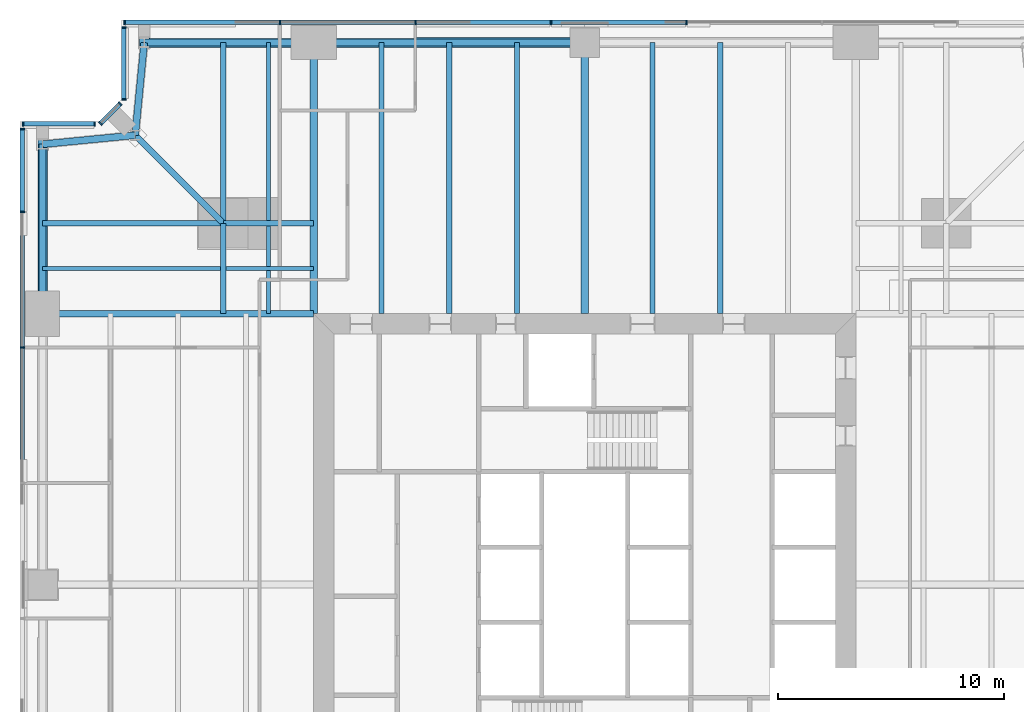
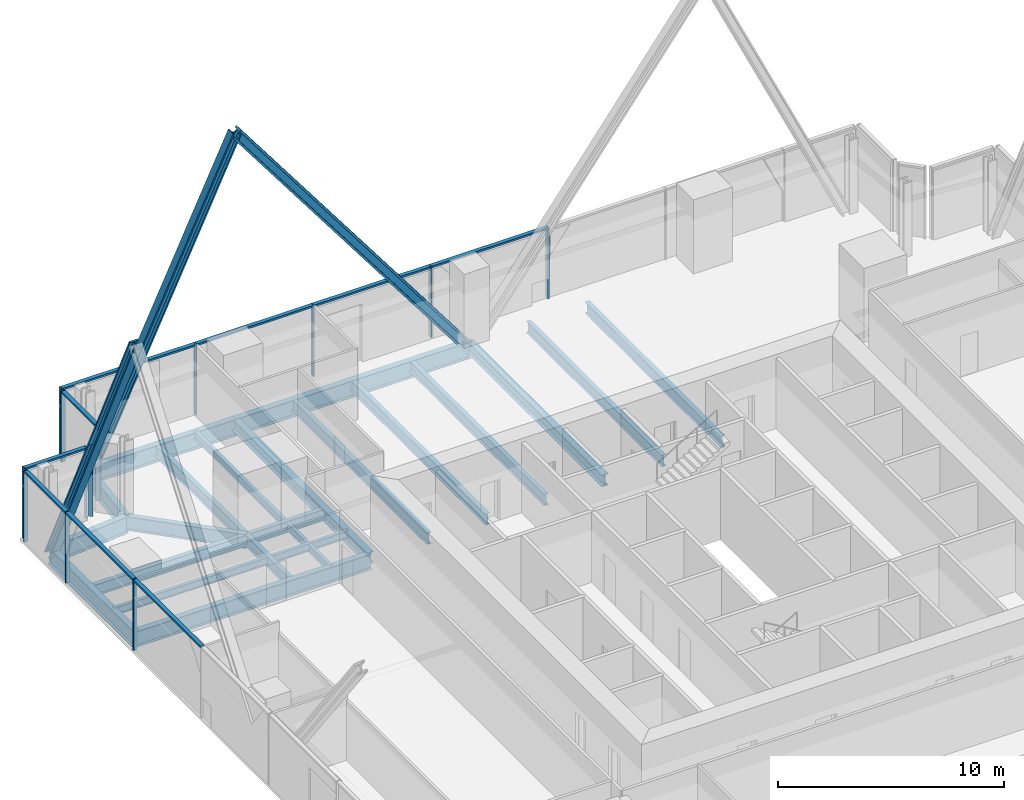
# One storey, part 6 of 13: 27 members, 23 beams, 5 elements without a shape of their own.
"""IFC4 building model written with IfcOpenShell, lengths in metres."""

from ifc_helpers import new_model, si_unit, direction, frame, origin, origin_2d, place, context, subcontext, project, spatial, rectangle, i_section, extrude, material, material_profile, profile_set, type_object, element, aggregate, save


model = new_model("IFC4")

# Units and contexts
model_context = context("Model", 3, precision=1e-05, world=origin(), true_north=direction((0.0, 1.0)))
body_context = subcontext(model_context, "Body", "Model", "MODEL_VIEW")
ifc_project = project(units=[si_unit("LENGTHUNIT", "METRE"), si_unit("AREAUNIT", "SQUARE_METRE"), si_unit("VOLUMEUNIT", "CUBIC_METRE"), si_unit("PLANEANGLEUNIT", "RADIAN"), si_unit("MASSUNIT", "GRAM", prefix="KILO")], contexts=[model_context])

# Site, building, storey
site_placement = place(None, origin())
site = spatial("IfcSite", under=ifc_project, at=site_placement, CompositionType="ELEMENT")
building_placement = place(site_placement, origin())
building = spatial("IfcBuilding", under=site, at=building_placement, Name="Fenwick Lantern Interchange", CompositionType="ELEMENT")
storey_placement = place(building_placement, frame((0.0, 0.0, 146.39990234375)))
storey = spatial("IfcBuildingStorey", under=building, at=storey_placement, Name="L34", CompositionType="ELEMENT", Elevation=146.39990234375)

# Beams
ifc_material_1 = material(Name="Steel ASTM A992 Grade 50", Category="steel")
ifc_material_profile_1 = material_profile(ifc_material_1, i_section(OverallWidth=0.3046875, OverallDepth=0.911865234375, WebThickness=0.015869140625, FlangeThickness=0.02392578125, at=origin_2d()), Name="W36X150")
ifc_profile_set_1 = profile_set([ifc_material_profile_1], Name="Steel ASTM A992 Grade 50")
beam_type_1 = type_object("IfcBeamType", Name="EDGE BEAM W36X150", PredefinedType="SPANDREL", material=ifc_profile_set_1)
beam_1_placement = place(storey_placement, frame((25.0, 49.0, -0.605712890625), z_axis=(-1.0, 0.0, 0.0), x_axis=(0.0, -1.0, 0.0)))
element("IfcBeam", 1, at=beam_1_placement, inside=storey, type_object=beam_type_1, Name="L34/FR/N/EB3", PredefinedType="SPANDREL", context=body_context, shape_type="SweptSolid", body=[
    extrude(i_section(OverallWidth=0.3046875, OverallDepth=0.911865234375, WebThickness=0.015869140625, FlangeThickness=0.02392578125, at=origin_2d()), origin(), (0.0, 0.0, 1.0), 12.0),
])
beam_2_placement = place(storey_placement, frame((13.0, 49.0, -0.605712890625), z_axis=(-1.0, 0.0, 0.0), x_axis=(0.0, -1.0, 0.0)))
element("IfcBeam", 2, at=beam_2_placement, inside=storey, type_object=beam_type_1, Name="L34/FR/N/EB4", PredefinedType="SPANDREL", context=body_context, shape_type="SweptSolid", body=[
    extrude(i_section(OverallWidth=0.3046875, OverallDepth=0.911865234375, WebThickness=0.015869140625, FlangeThickness=0.02392578125, at=origin_2d()), origin(), (0.0, 0.0, 1.0), 7.5),
])
for number, where, z_axis, x_axis, name in (
    (3, (5.5, 49.0, -0.605712890625), (-0.097074191287, -0.995277148028, 0.0), (0.995277148028, -0.097074191287, 0.0), "L34/FR/N/EBR1"),
    (4, (5.10009765625, 44.89990234375, -0.605712890625), (-0.995277148028, -0.097074191287, 0.0), (0.097074191287, -0.995277148028, 0.0), "L34/FR/N/EBR2"),
):
    element("IfcBeam", number, at=place(storey_placement, frame(where, z_axis=z_axis, x_axis=x_axis)), inside=storey, type_object=beam_type_1, Name=name, PredefinedType="SPANDREL", context=body_context, shape_type="SweptSolid", body=[
        extrude(i_section(OverallWidth=0.3046875, OverallDepth=0.911865234375, WebThickness=0.015869140625, FlangeThickness=0.02392578125, at=origin_2d()), origin(), (0.0, 0.0, 1.0), 4.11962890625),
    ])
beam_3_placement = place(storey_placement, frame((1.0, 44.5, -0.605712890625), z_axis=(0.0, -1.0, 0.0), x_axis=(1.0, 0.0, 0.0)))
element("IfcBeam", 5, at=beam_3_placement, inside=storey, type_object=beam_type_1, Name="L34/FR/W/EB1", PredefinedType="SPANDREL", context=body_context, shape_type="SweptSolid", body=[
    extrude(i_section(OverallWidth=0.3046875, OverallDepth=0.911865234375, WebThickness=0.015869140625, FlangeThickness=0.02392578125, at=origin_2d()), origin(), (0.0, 0.0, 1.0), 7.5),
])

# Members
ifc_material_profile_2 = material_profile(ifc_material_1, i_section(OverallWidth=0.424072265625, OverallDepth=0.47509765625, WebThickness=0.0478515625, FlangeThickness=0.0771484375, at=origin_2d()), Name="W14X426")
ifc_profile_set_2 = profile_set([ifc_material_profile_2], Name="Steel ASTM A992 Grade 50")
member_type_1 = type_object("IfcMemberType", Name="FACADE BRACE W14X426", PredefinedType="BRACE", material=ifc_profile_set_2)
for number, where, z_axis, x_axis, name in (
    (6, (5.5, 49.0, -0.605712890625), (0.426947906428, 0.0, 0.904276221736), (0.0, 1.0, 0.0), "L34/FB/N/BE"),
    (7, (1.0, 44.5, -0.605712890625), (0.0, -0.426947906428, 0.904276221736), (1.0, 0.0, 0.0), "L34/FB/W/AE"),
):
    element("IfcMember", number, at=place(storey_placement, frame(where, z_axis=z_axis, x_axis=x_axis)), inside=storey, type_object=member_type_1, Name=name, PredefinedType="BRACE", context=body_context, shape_type="SweptSolid", body=[
        extrude(i_section(OverallWidth=0.424072265625, OverallDepth=0.47509765625, WebThickness=0.0478515625, FlangeThickness=0.0771484375, at=origin_2d()), origin(), (0.0, 0.0, 1.0), 17.566650390625),
    ])
ifc_material_profile_3 = material_profile(ifc_material_1, i_section(OverallWidth=0.44189453125, OverallDepth=0.53076171875, WebThickness=0.06591796875, FlangeThickness=0.105712890625, at=origin_2d()), Name="W14X605")
ifc_profile_set_3 = profile_set([ifc_material_profile_3], Name="Steel ASTM A992 Grade 50")
member_type_2 = type_object("IfcMemberType", Name="FACADE BRACE W14X605", PredefinedType="BRACE", material=ifc_profile_set_3)
member_1_placement = place(storey_placement, frame((25.0, 49.0, -0.605712890625), z_axis=(-0.602768898294, 0.0, 0.797915819651), x_axis=(0.0, -1.0, 0.0)))
element("IfcMember", 8, at=member_1_placement, inside=storey, type_object=member_type_2, Name="L34/FB/N/B", PredefinedType="BRACE", context=body_context, shape_type="SweptSolid", body=[
    extrude(i_section(OverallWidth=0.44189453125, OverallDepth=0.53076171875, WebThickness=0.06591796875, FlangeThickness=0.105712890625, at=origin_2d()), origin(), (0.0, 0.0, 1.0), 19.908203125),
])

# Beams
ifc_material_profile_4 = material_profile(ifc_material_1, i_section(OverallWidth=0.22900390625, OverallDepth=0.612060546875, WebThickness=0.011962890625, FlangeThickness=0.01953125, at=origin_2d()), Name="W24X84")
ifc_profile_set_4 = profile_set([ifc_material_profile_4], Name="Steel ASTM A992 Grade 50")
beam_type_2 = type_object("IfcBeamType", Name="FLOOR BEAM W24X84", PredefinedType="BEAM", material=ifc_profile_set_4)
for number, where, z_axis, x_axis, name in (
    (9, (31.0, 49.0, -0.4560546875), (0.0, -1.0, 0.0), (1.0, 0.0, 0.0), "L34/FR/N/R03"),
    (10, (28.0, 49.0, -0.4560546875), (0.0, -1.0, 0.0), (1.0, 0.0, 0.0), "L34/FR/N/R04"),
    (11, (22.0, 49.0, -0.4560546875), (0.0, -1.0, 0.0), (1.0, 0.0, 0.0), "L34/FR/N/R06"),
    (12, (19.0, 49.0, -0.4560546875), (0.0, -1.0, 0.0), (1.0, 0.0, 0.0), "L34/FR/N/R07"),
    (13, (16.0, 49.0, -0.4560546875), (0.0, -1.0, 0.0), (1.0, 0.0, 0.0), "L34/FR/N/R08"),
):
    element("IfcBeam", number, at=place(storey_placement, frame(where, z_axis=z_axis, x_axis=x_axis)), inside=storey, type_object=beam_type_2, Name=name, PredefinedType="BEAM", context=body_context, shape_type="SweptSolid", body=[
        extrude(i_section(OverallWidth=0.22900390625, OverallDepth=0.612060546875, WebThickness=0.011962890625, FlangeThickness=0.01953125, at=origin_2d()), origin(), (0.0, 0.0, 1.0), 12.0),
    ])
ifc_material_profile_5 = material_profile(ifc_material_1, i_section(OverallWidth=0.177734375, OverallDepth=0.406494140625, WebThickness=0.0078125, FlangeThickness=0.012939453125, at=origin_2d()), Name="W16X40")
ifc_profile_set_5 = profile_set([ifc_material_profile_5], Name="Steel ASTM A992 Grade 50")
beam_type_3 = type_object("IfcBeamType", Name="INFILL BEAM W16X40", PredefinedType="JOIST", material=ifc_profile_set_5)
beam_4_placement = place(storey_placement, frame((1.0, 39.0, -0.35302734375), z_axis=(1.0, 0.0, 0.0), x_axis=(0.0, 1.0, 0.0)))
element("IfcBeam", 14, at=beam_4_placement, inside=storey, type_object=beam_type_3, Name="L34/FR/W/J1", PredefinedType="JOIST", context=body_context, shape_type="SweptSolid", body=[
    extrude(i_section(OverallWidth=0.177734375, OverallDepth=0.406494140625, WebThickness=0.0078125, FlangeThickness=0.012939453125, at=origin_2d()), origin(), (0.0, 0.0, 1.0), 7.885498046875),
])
beam_5_placement = place(storey_placement, frame((9.114501953125, 39.0, -0.35302734375), z_axis=(1.0, 0.0, 0.0), x_axis=(0.0, 1.0, 0.0)))
element("IfcBeam", 15, at=beam_5_placement, inside=storey, type_object=beam_type_3, Name="L34/FR/W/J2", PredefinedType="JOIST", context=body_context, shape_type="SweptSolid", body=[
    extrude(i_section(OverallWidth=0.177734375, OverallDepth=0.406494140625, WebThickness=0.0078125, FlangeThickness=0.012939453125, at=origin_2d()), origin(), (0.0, 0.0, 1.0), 3.885498046875),
])
beam_6_placement = place(storey_placement, frame((11.0, 49.0, -0.35302734375), z_axis=(0.0, -1.0, 0.0), x_axis=(1.0, 0.0, 0.0)))
element("IfcBeam", 16, at=beam_6_placement, inside=storey, type_object=beam_type_3, Name="L34/FR/W/J3", PredefinedType="JOIST", context=body_context, shape_type="SweptSolid", body=[
    extrude(i_section(OverallWidth=0.177734375, OverallDepth=0.406494140625, WebThickness=0.0078125, FlangeThickness=0.012939453125, at=origin_2d()), origin(), (0.0, 0.0, 1.0), 7.885498046875),
])
beam_7_placement = place(storey_placement, frame((11.0, 40.885498046875, -0.35302734375), z_axis=(0.0, -1.0, 0.0), x_axis=(1.0, 0.0, 0.0)))
element("IfcBeam", 17, at=beam_7_placement, inside=storey, type_object=beam_type_3, Name="L34/FR/W/J4", PredefinedType="JOIST", context=body_context, shape_type="SweptSolid", body=[
    extrude(i_section(OverallWidth=0.177734375, OverallDepth=0.406494140625, WebThickness=0.0078125, FlangeThickness=0.012939453125, at=origin_2d()), origin(), (0.0, 0.0, 1.0), 1.796630859375),
])
beam_8_placement = place(storey_placement, frame((11.0, 38.9111328125, -0.35302734375), z_axis=(0.0, -1.0, 0.0), x_axis=(1.0, 0.0, 0.0)))
element("IfcBeam", 18, at=beam_8_placement, inside=storey, type_object=beam_type_3, Name="L34/FR/W/J5", PredefinedType="JOIST", context=body_context, shape_type="SweptSolid", body=[
    extrude(i_section(OverallWidth=0.177734375, OverallDepth=0.406494140625, WebThickness=0.0078125, FlangeThickness=0.012939453125, at=origin_2d()), origin(), (0.0, 0.0, 1.0), 1.9111328125),
])
ifc_material_profile_6 = material_profile(ifc_material_1, i_section(OverallWidth=0.22900390625, OverallDepth=0.612060546875, WebThickness=0.011962890625, FlangeThickness=0.01953125, at=origin_2d()), Name="W24X84")
ifc_profile_set_6 = profile_set([ifc_material_profile_6], Name="Steel ASTM A992 Grade 50")
beam_type_4 = type_object("IfcBeamType", Name="MEGA COLUMN BEAM W24X84", PredefinedType="BEAM", material=ifc_profile_set_6)
for number, where, z_axis, x_axis, name in (
    (19, (9.0, 41.0, -0.4560546875), (-1.0, 0.0, 0.0), (0.0, -1.0, 0.0), "L34/FR/W/MB1"),
    (20, (9.0, 41.0, -0.4560546875), (0.0, 1.0, 0.0), (-1.0, 0.0, 0.0), "L34/FR/W/MB2"),
):
    element("IfcBeam", number, at=place(storey_placement, frame(where, z_axis=z_axis, x_axis=x_axis)), inside=storey, type_object=beam_type_4, Name=name, PredefinedType="BEAM", context=body_context, shape_type="SweptSolid", body=[
        extrude(i_section(OverallWidth=0.22900390625, OverallDepth=0.612060546875, WebThickness=0.011962890625, FlangeThickness=0.01953125, at=origin_2d()), origin(), (0.0, 0.0, 1.0), 8.0),
    ])
for number, where, z_axis, x_axis, name in (
    (21, (9.0, 41.0, -0.4560546875), (0.0, -1.0, 0.0), (1.0, 0.0, 0.0), "L34/FR/W/MB3"),
    (22, (9.0, 41.0, -0.4560546875), (1.0, 0.0, 0.0), (0.0, 1.0, 0.0), "L34/FR/W/MB4"),
):
    element("IfcBeam", number, at=place(storey_placement, frame(where, z_axis=z_axis, x_axis=x_axis)), inside=storey, type_object=beam_type_4, Name=name, PredefinedType="BEAM", context=body_context, shape_type="SweptSolid", body=[
        extrude(i_section(OverallWidth=0.22900390625, OverallDepth=0.612060546875, WebThickness=0.011962890625, FlangeThickness=0.01953125, at=origin_2d()), origin(), (0.0, 0.0, 1.0), 4.0),
    ])
ifc_material_profile_7 = material_profile(ifc_material_1, i_section(OverallWidth=0.32763671875, OverallDepth=0.622314453125, WebThickness=0.015380859375, FlangeThickness=0.0244140625, at=origin_2d()), Name="W24X131")
ifc_profile_set_7 = profile_set([ifc_material_profile_7], Name="Steel ASTM A992 Grade 50")
beam_type_5 = type_object("IfcBeamType", Name="MOMENT-CONNECTED GIRDER W24X131", PredefinedType="BEAM", material=ifc_profile_set_7)
for number, where, z_axis, x_axis, name in (
    (23, (25.0, 49.0, -0.4609375), (0.0, -1.0, 0.0), (1.0, 0.0, 0.0), "L34/FR/N/R05"),
    (24, (13.0, 49.0, -0.4609375), (0.0, -1.0, 0.0), (1.0, 0.0, 0.0), "L34/FR/N/R09"),
):
    element("IfcBeam", number, at=place(storey_placement, frame(where, z_axis=z_axis, x_axis=x_axis)), inside=storey, type_object=beam_type_5, Name=name, PredefinedType="BEAM", context=body_context, shape_type="SweptSolid", body=[
        extrude(i_section(OverallWidth=0.32763671875, OverallDepth=0.622314453125, WebThickness=0.015380859375, FlangeThickness=0.0244140625, at=origin_2d()), origin(), (0.0, 0.0, 1.0), 12.0),
    ])
ifc_material_profile_8 = material_profile(ifc_material_1, i_section(OverallWidth=0.2919921875, OverallDepth=0.845703125, WebThickness=0.015380859375, FlangeThickness=0.0244140625, at=origin_2d()), Name="W33X141")
ifc_profile_set_8 = profile_set([ifc_material_profile_8], Name="Steel ASTM A992 Grade 50")
beam_type_6 = type_object("IfcBeamType", Name="MOMENT-CONNECTED GIRDER W33X141", PredefinedType="BEAM", material=ifc_profile_set_8)
beam_9_placement = place(storey_placement, frame((1.0, 37.0, -0.57275390625), z_axis=(1.0, 0.0, 0.0), x_axis=(0.0, 1.0, 0.0)))
element("IfcBeam", 25, at=beam_9_placement, inside=storey, type_object=beam_type_6, Name="L34/FR/W/R01", PredefinedType="BEAM", context=body_context, shape_type="SweptSolid", body=[
    extrude(i_section(OverallWidth=0.2919921875, OverallDepth=0.845703125, WebThickness=0.015380859375, FlangeThickness=0.0244140625, at=origin_2d()), origin(), (0.0, 0.0, 1.0), 12.0),
])
ifc_material_profile_9 = material_profile(ifc_material_1, i_section(OverallWidth=0.2666015625, OverallDepth=0.7568359375, WebThickness=0.013916015625, FlangeThickness=0.019287109375, at=origin_2d()), Name="W30X108")
ifc_profile_set_9 = profile_set([ifc_material_profile_9], Name="Steel ASTM A992 Grade 50")
beam_type_7 = type_object("IfcBeamType", Name="NOTCH BEAM W30X108", PredefinedType="BEAM", material=ifc_profile_set_9)
beam_10_placement = place(storey_placement, frame((9.0, 41.0, -0.5283203125), z_axis=(-0.707106781187, 0.707106781187, 0.0), x_axis=(-0.707106781187, -0.707106781187, 0.0)))
element("IfcBeam", 26, at=beam_10_placement, inside=storey, type_object=beam_type_7, Name="L34/FR/W/TG", PredefinedType="BEAM", context=body_context, shape_type="SweptSolid", body=[
    extrude(i_section(OverallWidth=0.2666015625, OverallDepth=0.7568359375, WebThickness=0.013916015625, FlangeThickness=0.019287109375, at=origin_2d()), origin(), (0.0, 0.0, 1.0), 5.515380859375),
])

# Curtain wall, members
ifc_material_2 = material(Name="Aluminium curtain wall frame", Category="aluminium")
curtain_wall_type = type_object("IfcCurtainWallType", Name="OFFICE CURTAIN WALL", PredefinedType="USERDEFINED", material=ifc_material_2)
curtain_wall_1_placement = place(storey_placement, origin())
curtain_wall_1 = element("IfcCurtainWall", 27, at=curtain_wall_1_placement, inside=storey, type_object=curtain_wall_type, Name="Office curtain wall 09", ObjectType="OFFICE CURTAIN WALL", PredefinedType="USERDEFINED")
ifc_material_3 = material(Name="Aluminium extrusion", Category="aluminium")
ifc_material_profile_10 = material_profile(ifc_material_3, rectangle(XDim=0.199951171875, YDim=0.06494140625, at=origin_2d()), Name="OFFICE CURTAIN WALL MULLION 65 X 200")
ifc_profile_set_10 = profile_set([ifc_material_profile_10], Name="Aluminium extrusion")
member_type_3 = type_object("IfcMemberType", Name="OFFICE CURTAIN WALL MULLION 65 X 200", PredefinedType="MULLION", material=ifc_profile_set_10)
member_2_placement = place(storey_placement, frame((29.5, 49.89990234375, 0.0), z_axis=(0.0, 0.0, 1.0), x_axis=(0.0, -1.0, 0.0)))
member_2 = element("IfcMember", 28, at=member_2_placement, type_object=member_type_3, Name="L34/CW/09/M03", PredefinedType="MULLION", context=body_context, shape_type="SweptSolid", body=[
    extrude(rectangle(XDim=0.199951171875, YDim=0.06494140625, at=origin_2d()), origin(), (0.0, 0.0, 1.0), 3.85009765625),
])
member_3_placement = place(storey_placement, frame((23.5, 49.89990234375, 0.0), z_axis=(0.0, 0.0, 1.0), x_axis=(0.0, -1.0, 0.0)))
member_3 = element("IfcMember", 29, at=member_3_placement, type_object=member_type_3, Name="L34/CW/09/M04", PredefinedType="MULLION", context=body_context, shape_type="SweptSolid", body=[
    extrude(rectangle(XDim=0.199951171875, YDim=0.06494140625, at=origin_2d()), origin(), (0.0, 0.0, 1.0), 3.85009765625),
])
member_4_placement = place(storey_placement, frame((17.5, 49.89990234375, 0.0), z_axis=(0.0, 0.0, 1.0), x_axis=(0.0, -1.0, 0.0)))
member_4 = element("IfcMember", 30, at=member_4_placement, type_object=member_type_3, Name="L34/CW/09/M05", PredefinedType="MULLION", context=body_context, shape_type="SweptSolid", body=[
    extrude(rectangle(XDim=0.199951171875, YDim=0.06494140625, at=origin_2d()), origin(), (0.0, 0.0, 1.0), 3.85009765625),
])
member_5_placement = place(storey_placement, frame((11.5, 49.89990234375, 0.0), z_axis=(0.0, 0.0, 1.0), x_axis=(0.0, -1.0, 0.0)))
member_5 = element("IfcMember", 31, at=member_5_placement, type_object=member_type_3, Name="L34/CW/09/M06", PredefinedType="MULLION", context=body_context, shape_type="SweptSolid", body=[
    extrude(rectangle(XDim=0.199951171875, YDim=0.06494140625, at=origin_2d()), origin(), (0.0, 0.0, 1.0), 3.85009765625),
])
member_6_placement = place(storey_placement, frame((4.632568359375, 49.89990234375, 0.0), z_axis=(0.0, 0.0, 1.0), x_axis=(0.0, -1.0, 0.0)))
member_6 = element("IfcMember", 32, at=member_6_placement, type_object=member_type_3, Name="L34/CW/09/M07", PredefinedType="MULLION", context=body_context, shape_type="SweptSolid", body=[
    extrude(rectangle(XDim=0.199951171875, YDim=0.06494140625, at=origin_2d()), origin(), (0.0, 0.0, 1.0), 3.85009765625),
])

curtain_wall_2_placement = place(storey_placement, origin())
curtain_wall_2 = element("IfcCurtainWall", 33, at=curtain_wall_2_placement, inside=storey, type_object=curtain_wall_type, Name="Office curtain wall 10", ObjectType="OFFICE CURTAIN WALL", PredefinedType="USERDEFINED")
member_7_placement = place(storey_placement, frame((4.60009765625, 49.66748046875, 0.0), z_axis=(0.0, 0.0, 1.0), x_axis=(1.0, 0.0, 0.0)))
member_7 = element("IfcMember", 34, at=member_7_placement, type_object=member_type_3, Name="L34/CW/10/M00", PredefinedType="MULLION", context=body_context, shape_type="SweptSolid", body=[
    extrude(rectangle(XDim=0.199951171875, YDim=0.06494140625, at=origin_2d()), origin(), (0.0, 0.0, 1.0), 3.85009765625),
])
member_8_placement = place(storey_placement, frame((4.60009765625, 46.490966796875, 0.0), z_axis=(0.0, 0.0, 1.0), x_axis=(1.0, 0.0, 0.0)))
member_8 = element("IfcMember", 35, at=member_8_placement, type_object=member_type_3, Name="L34/CW/10/M01", PredefinedType="MULLION", context=body_context, shape_type="SweptSolid", body=[
    extrude(rectangle(XDim=0.199951171875, YDim=0.06494140625, at=origin_2d()), origin(), (0.0, 0.0, 1.0), 3.85009765625),
])

curtain_wall_3_placement = place(storey_placement, origin())
curtain_wall_3 = element("IfcCurtainWall", 36, at=curtain_wall_3_placement, inside=storey, type_object=curtain_wall_type, Name="Office curtain wall 11", ObjectType="OFFICE CURTAIN WALL", PredefinedType="USERDEFINED")
member_9_placement = place(storey_placement, frame((4.435546875, 46.294189453125, 0.0), z_axis=(0.0, 0.0, 1.0), x_axis=(0.707106781187, -0.707106781187, 0.0)))
member_9 = element("IfcMember", 37, at=member_9_placement, type_object=member_type_3, Name="L34/CW/11/M00", PredefinedType="MULLION", context=body_context, shape_type="SweptSolid", body=[
    extrude(rectangle(XDim=0.199951171875, YDim=0.06494140625, at=origin_2d()), origin(), (0.0, 0.0, 1.0), 3.85009765625),
])
member_10_placement = place(storey_placement, frame((3.564453125, 45.423095703125, 0.0), z_axis=(0.0, 0.0, 1.0), x_axis=(0.707106781187, -0.707106781187, 0.0)))
member_10 = element("IfcMember", 38, at=member_10_placement, type_object=member_type_3, Name="L34/CW/11/M01", PredefinedType="MULLION", context=body_context, shape_type="SweptSolid", body=[
    extrude(rectangle(XDim=0.199951171875, YDim=0.06494140625, at=origin_2d()), origin(), (0.0, 0.0, 1.0), 3.85009765625),
])

curtain_wall_4_placement = place(storey_placement, origin())
curtain_wall_4 = element("IfcCurtainWall", 39, at=curtain_wall_4_placement, inside=storey, type_object=curtain_wall_type, Name="Office curtain wall 12", ObjectType="OFFICE CURTAIN WALL", PredefinedType="USERDEFINED")
member_11_placement = place(storey_placement, frame((3.308837890625, 45.39990234375, 0.0), z_axis=(0.0, 0.0, 1.0), x_axis=(0.0, -1.0, 0.0)))
member_11 = element("IfcMember", 40, at=member_11_placement, type_object=member_type_3, Name="L34/CW/12/M00", PredefinedType="MULLION", context=body_context, shape_type="SweptSolid", body=[
    extrude(rectangle(XDim=0.199951171875, YDim=0.06494140625, at=origin_2d()), origin(), (0.0, 0.0, 1.0), 3.85009765625),
])
member_12_placement = place(storey_placement, frame((0.132568359375, 45.39990234375, 0.0), z_axis=(0.0, 0.0, 1.0), x_axis=(0.0, -1.0, 0.0)))
member_12 = element("IfcMember", 41, at=member_12_placement, type_object=member_type_3, Name="L34/CW/12/M01", PredefinedType="MULLION", context=body_context, shape_type="SweptSolid", body=[
    extrude(rectangle(XDim=0.199951171875, YDim=0.06494140625, at=origin_2d()), origin(), (0.0, 0.0, 1.0), 3.85009765625),
])

curtain_wall_5_placement = place(storey_placement, origin())
curtain_wall_5 = element("IfcCurtainWall", 42, at=curtain_wall_5_placement, inside=storey, type_object=curtain_wall_type, Name="Office curtain wall 13", ObjectType="OFFICE CURTAIN WALL", PredefinedType="USERDEFINED")
member_13_placement = place(storey_placement, frame((0.10009765625, 45.16748046875, 0.0), z_axis=(0.0, 0.0, 1.0), x_axis=(1.0, 0.0, 0.0)))
member_13 = element("IfcMember", 43, at=member_13_placement, type_object=member_type_3, Name="L34/CW/13/M00", PredefinedType="MULLION", context=body_context, shape_type="SweptSolid", body=[
    extrude(rectangle(XDim=0.199951171875, YDim=0.06494140625, at=origin_2d()), origin(), (0.0, 0.0, 1.0), 3.85009765625),
])
member_14_placement = place(storey_placement, frame((0.10009765625, 41.5, 0.0), z_axis=(0.0, 0.0, 1.0), x_axis=(1.0, 0.0, 0.0)))
member_14 = element("IfcMember", 44, at=member_14_placement, type_object=member_type_3, Name="L34/CW/13/M01", PredefinedType="MULLION", context=body_context, shape_type="SweptSolid", body=[
    extrude(rectangle(XDim=0.199951171875, YDim=0.06494140625, at=origin_2d()), origin(), (0.0, 0.0, 1.0), 3.85009765625),
])
member_15_placement = place(storey_placement, frame((0.10009765625, 35.5, 0.0), z_axis=(0.0, 0.0, 1.0), x_axis=(1.0, 0.0, 0.0)))
member_15 = element("IfcMember", 45, at=member_15_placement, type_object=member_type_3, Name="L34/CW/13/M02", PredefinedType="MULLION", context=body_context, shape_type="SweptSolid", body=[
    extrude(rectangle(XDim=0.199951171875, YDim=0.06494140625, at=origin_2d()), origin(), (0.0, 0.0, 1.0), 3.85009765625),
])

# Member
ifc_material_profile_11 = material_profile(ifc_material_3, rectangle(XDim=0.199951171875, YDim=0.10009765625, at=origin_2d()), Name="OFFICE CURTAIN WALL TRANSOM 100 X 200")
ifc_profile_set_11 = profile_set([ifc_material_profile_11], Name="Aluminium extrusion")
member_type_4 = type_object("IfcMemberType", Name="OFFICE CURTAIN WALL TRANSOM 100 X 200", PredefinedType="MULLION", material=ifc_profile_set_11)
member_16_placement = place(storey_placement, frame((29.467529296875, 49.89990234375, 3.800048828125), z_axis=(-1.0, 0.0, 0.0), x_axis=(0.0, -1.0, 0.0)))
member_16 = element("IfcMember", 46, at=member_16_placement, type_object=member_type_4, Name="L34/CW/09/T03", PredefinedType="MULLION", context=body_context, shape_type="SweptSolid", body=[
    extrude(rectangle(XDim=0.199951171875, YDim=0.10009765625, at=origin_2d()), origin(), (0.0, 0.0, 1.0), 5.93505859375),
])

member_17_placement = place(storey_placement, frame((23.467529296875, 49.89990234375, 3.800048828125), z_axis=(-1.0, 0.0, 0.0), x_axis=(0.0, -1.0, 0.0)))
member_17 = element("IfcMember", 47, at=member_17_placement, type_object=member_type_4, Name="L34/CW/09/T04", PredefinedType="MULLION", context=body_context, shape_type="SweptSolid", body=[
    extrude(rectangle(XDim=0.199951171875, YDim=0.10009765625, at=origin_2d()), origin(), (0.0, 0.0, 1.0), 5.93505859375),
])

member_18_placement = place(storey_placement, frame((17.467529296875, 49.89990234375, 3.800048828125), z_axis=(-1.0, 0.0, 0.0), x_axis=(0.0, -1.0, 0.0)))
member_18 = element("IfcMember", 48, at=member_18_placement, type_object=member_type_4, Name="L34/CW/09/T05", PredefinedType="MULLION", context=body_context, shape_type="SweptSolid", body=[
    extrude(rectangle(XDim=0.199951171875, YDim=0.10009765625, at=origin_2d()), origin(), (0.0, 0.0, 1.0), 5.93505859375),
])

member_19_placement = place(storey_placement, frame((11.467529296875, 49.89990234375, 3.800048828125), z_axis=(-1.0, 0.0, 0.0), x_axis=(0.0, -1.0, 0.0)))
member_19 = element("IfcMember", 49, at=member_19_placement, type_object=member_type_4, Name="L34/CW/09/T06", PredefinedType="MULLION", context=body_context, shape_type="SweptSolid", body=[
    extrude(rectangle(XDim=0.199951171875, YDim=0.10009765625, at=origin_2d()), origin(), (0.0, 0.0, 1.0), 6.802490234375),
])

aggregate(curtain_wall_1, [member_2, member_3, member_4, member_5, member_6, member_16, member_17, member_18, member_19])

member_20_placement = place(storey_placement, frame((4.60009765625, 49.635009765625, 3.800048828125), z_axis=(0.0, -1.0, 0.0), x_axis=(1.0, 0.0, 0.0)))
member_20 = element("IfcMember", 50, at=member_20_placement, type_object=member_type_4, Name="L34/CW/10/T00", PredefinedType="MULLION", context=body_context, shape_type="SweptSolid", body=[
    extrude(rectangle(XDim=0.199951171875, YDim=0.10009765625, at=origin_2d()), origin(), (0.0, 0.0, 1.0), 3.111328125),
])

aggregate(curtain_wall_2, [member_7, member_8, member_20])

member_21_placement = place(storey_placement, frame((4.41259765625, 46.271240234375, 3.800048828125), z_axis=(-0.707106781187, -0.707106781187, 0.0), x_axis=(0.707106781187, -0.707106781187, 0.0)))
member_21 = element("IfcMember", 51, at=member_21_placement, type_object=member_type_4, Name="L34/CW/11/T00", PredefinedType="MULLION", context=body_context, shape_type="SweptSolid", body=[
    extrude(rectangle(XDim=0.199951171875, YDim=0.10009765625, at=origin_2d()), origin(), (0.0, 0.0, 1.0), 1.1669921875),
])

aggregate(curtain_wall_3, [member_9, member_10, member_21])

member_22_placement = place(storey_placement, frame((3.2763671875, 45.39990234375, 3.800048828125), z_axis=(-1.0, 0.0, 0.0), x_axis=(0.0, -1.0, 0.0)))
member_22 = element("IfcMember", 52, at=member_22_placement, type_object=member_type_4, Name="L34/CW/12/T00", PredefinedType="MULLION", context=body_context, shape_type="SweptSolid", body=[
    extrude(rectangle(XDim=0.199951171875, YDim=0.10009765625, at=origin_2d()), origin(), (0.0, 0.0, 1.0), 3.111328125),
])

aggregate(curtain_wall_4, [member_11, member_12, member_22])

member_23_placement = place(storey_placement, frame((0.10009765625, 45.135009765625, 3.800048828125), z_axis=(0.0, -1.0, 0.0), x_axis=(1.0, 0.0, 0.0)))
member_23 = element("IfcMember", 53, at=member_23_placement, type_object=member_type_4, Name="L34/CW/13/T00", PredefinedType="MULLION", context=body_context, shape_type="SweptSolid", body=[
    extrude(rectangle(XDim=0.199951171875, YDim=0.10009765625, at=origin_2d()), origin(), (0.0, 0.0, 1.0), 3.6025390625),
])

member_24_placement = place(storey_placement, frame((0.10009765625, 41.467529296875, 3.800048828125), z_axis=(0.0, -1.0, 0.0), x_axis=(1.0, 0.0, 0.0)))
member_24 = element("IfcMember", 54, at=member_24_placement, type_object=member_type_4, Name="L34/CW/13/T01", PredefinedType="MULLION", context=body_context, shape_type="SweptSolid", body=[
    extrude(rectangle(XDim=0.199951171875, YDim=0.10009765625, at=origin_2d()), origin(), (0.0, 0.0, 1.0), 5.93505859375),
])

member_25_placement = place(storey_placement, frame((0.10009765625, 35.467529296875, 3.800048828125), z_axis=(0.0, -1.0, 0.0), x_axis=(1.0, 0.0, 0.0)))
member_25 = element("IfcMember", 55, at=member_25_placement, type_object=member_type_4, Name="L34/CW/13/T02", PredefinedType="MULLION", context=body_context, shape_type="SweptSolid", body=[
    extrude(rectangle(XDim=0.199951171875, YDim=0.10009765625, at=origin_2d()), origin(), (0.0, 0.0, 1.0), 5.93505859375),
])

aggregate(curtain_wall_5, [member_13, member_14, member_15, member_23, member_24, member_25])

save(model, "model.ifc")
